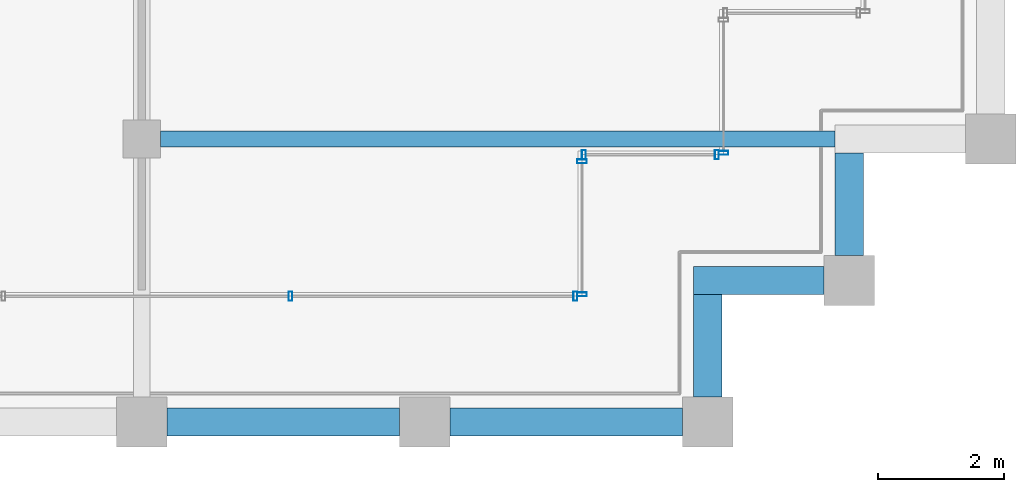
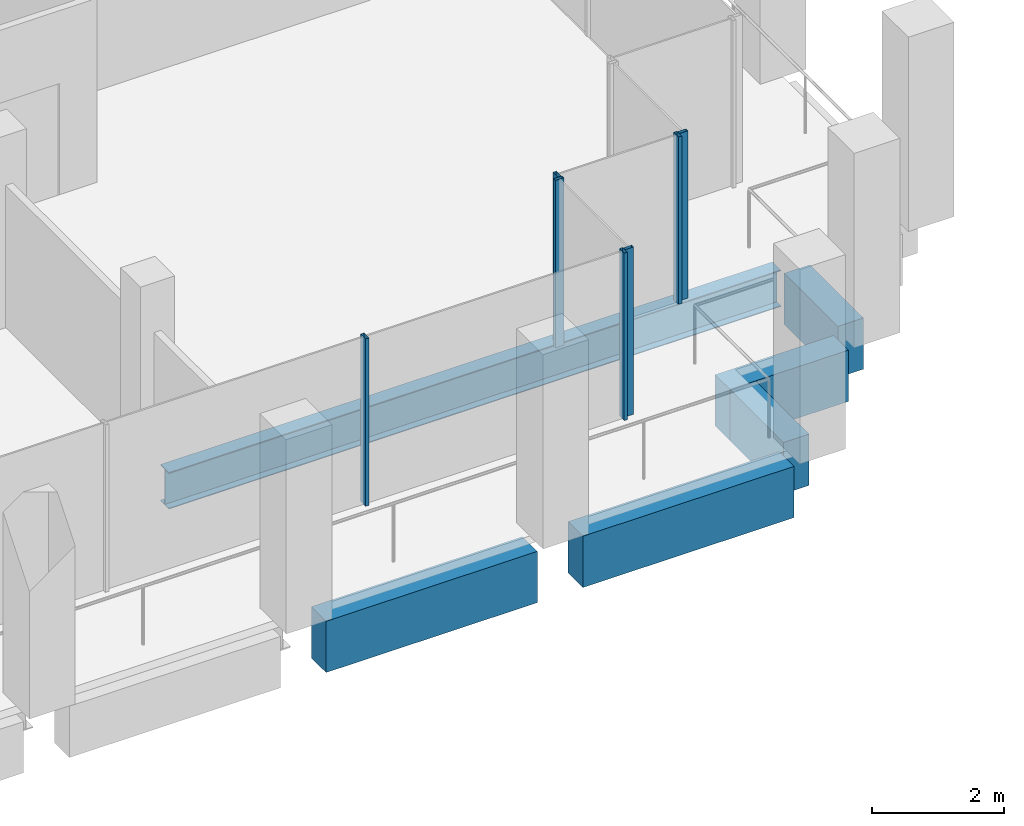
# One storey, part 12 of 40: 7 members, 6 beams, 4 elements without a shape of their own.
"""IFC4 building model written with IfcOpenShell, lengths in metres."""

from ifc_helpers import new_model, si_unit, direction, frame, origin, origin_2d, place, context, subcontext, project, spatial, rectangle, hollow_rectangle, i_section, extrude, material, material_profile, profile_set, type_object, element, aggregate, save


model = new_model("IFC4")

# Units and contexts
model_context = context("Model", 3, precision=1e-05, world=origin(), true_north=direction((0.0, 1.0)))
body_context = subcontext(model_context, "Body", "Model", "MODEL_VIEW")
ifc_project = project(units=[si_unit("LENGTHUNIT", "METRE"), si_unit("AREAUNIT", "SQUARE_METRE"), si_unit("VOLUMEUNIT", "CUBIC_METRE"), si_unit("PLANEANGLEUNIT", "RADIAN"), si_unit("MASSUNIT", "GRAM", prefix="KILO")], contexts=[model_context])

# Site, building, storey
site_placement = place(None, origin())
site = spatial("IfcSite", under=ifc_project, at=site_placement, CompositionType="ELEMENT")
building_placement = place(site_placement, origin())
building = spatial("IfcBuilding", under=site, at=building_placement, Name="Altepetl Exchange Towers", CompositionType="ELEMENT")
storey_placement = place(building_placement, frame((0.0, 0.0, 199.199951171875)))
storey = spatial("IfcBuildingStorey", under=building, at=storey_placement, Name="L50", CompositionType="ELEMENT", Elevation=199.199951171875)

# Beam
ifc_material_1 = material(Name="Steel S355", Category="steel")
ifc_material_profile_1 = material_profile(ifc_material_1, i_section(OverallWidth=0.2529296875, OverallDepth=0.677978515625, WebThickness=0.01171875, FlangeThickness=0.016357421875, at=origin_2d()), Name="W27X84")
ifc_profile_set_1 = profile_set([ifc_material_profile_1], Name="Steel S355")
beam_type_1 = type_object("IfcBeamType", Name="Floor beam W27X84", PredefinedType="BEAM", material=ifc_profile_set_1)
beam_1_placement = place(storey_placement, frame((58.800048828125, 31.5, -0.489013671875), z_axis=(1.0, 0.0, 0.0), x_axis=(0.0, 1.0, 0.0)))
element("IfcBeam", 1, at=beam_1_placement, inside=storey, type_object=beam_type_1, Name="bm:A:L50:006", PredefinedType="BEAM", context=body_context, shape_type="SweptSolid", body=[
    extrude(i_section(OverallWidth=0.2529296875, OverallDepth=0.677978515625, WebThickness=0.01171875, FlangeThickness=0.016357421875, at=origin_2d()), origin(), (0.0, 0.0, 1.0), 10.724853515625),
])

# Curtain wall, members
ifc_material_2 = material(Name="Aluminium 6063-T6 glazing", Category="aluminium")
curtain_wall_type = type_object("IfcCurtainWallType", Name="Loggia glazing system", PredefinedType="NOTDEFINED", material=ifc_material_2)
curtain_wall_1_placement = place(storey_placement, origin())
curtain_wall_1 = element("IfcCurtainWall", 2, at=curtain_wall_1_placement, inside=storey, type_object=curtain_wall_type, Name="CW1 run", PredefinedType="NOTDEFINED")
ifc_material_3 = material(Name="Aluminium 6063-T6", Category="aluminium")
ifc_material_profile_2 = material_profile(ifc_material_3, hollow_rectangle(XDim=0.06005859375, YDim=0.14990234375, WallThickness=0.0029296875, at=origin_2d()), Name="Mullion 60x150 aluminium")
ifc_profile_set_2 = profile_set([ifc_material_profile_2], Name="Aluminium 6063-T6")
member_type = type_object("IfcMemberType", Name="Mullion 60x150 aluminium", PredefinedType="MULLION", material=ifc_profile_set_2)
member_1_placement = place(storey_placement, frame((60.8642578125, 29.0, 0.0)))
member_1 = element("IfcMember", 3, at=member_1_placement, type_object=member_type, Name="MU1 mullion", PredefinedType="MULLION", context=body_context, shape_type="SweptSolid", body=[
    extrude(hollow_rectangle(XDim=0.06005859375, YDim=0.14990234375, WallThickness=0.0029296875, at=origin_2d()), origin(), (0.0, 0.0, 1.0), 3.10009765625),
])
member_2_placement = place(storey_placement, frame((65.39501953125, 29.0, 0.0)))
member_2 = element("IfcMember", 4, at=member_2_placement, type_object=member_type, Name="MU1 mullion", PredefinedType="MULLION", context=body_context, shape_type="SweptSolid", body=[
    extrude(hollow_rectangle(XDim=0.06005859375, YDim=0.14990234375, WallThickness=0.0029296875, at=origin_2d()), origin(), (0.0, 0.0, 1.0), 3.10009765625),
])
aggregate(curtain_wall_1, [member_1, member_2])

curtain_wall_2_placement = place(storey_placement, origin())
curtain_wall_2 = element("IfcCurtainWall", 5, at=curtain_wall_2_placement, inside=storey, type_object=curtain_wall_type, Name="CW1 run", PredefinedType="NOTDEFINED")
member_3_placement = place(storey_placement, frame((65.5, 29.030029296875, 0.0), z_axis=(0.0, 0.0, 1.0), x_axis=(0.0, 1.0, 0.0)))
member_3 = element("IfcMember", 6, at=member_3_placement, type_object=member_type, Name="MU1 mullion", PredefinedType="MULLION", context=body_context, shape_type="SweptSolid", body=[
    extrude(hollow_rectangle(XDim=0.06005859375, YDim=0.14990234375, WallThickness=0.0029296875, at=origin_2d()), origin(), (0.0, 0.0, 1.0), 3.10009765625),
])
member_4_placement = place(storey_placement, frame((65.5, 31.14501953125, 0.0), z_axis=(0.0, 0.0, 1.0), x_axis=(0.0, 1.0, 0.0)))
member_4 = element("IfcMember", 7, at=member_4_placement, type_object=member_type, Name="MU1 mullion", PredefinedType="MULLION", context=body_context, shape_type="SweptSolid", body=[
    extrude(hollow_rectangle(XDim=0.06005859375, YDim=0.14990234375, WallThickness=0.0029296875, at=origin_2d()), origin(), (0.0, 0.0, 1.0), 3.10009765625),
])
aggregate(curtain_wall_2, [member_3, member_4])

curtain_wall_3_placement = place(storey_placement, origin())
curtain_wall_3 = element("IfcCurtainWall", 8, at=curtain_wall_3_placement, inside=storey, type_object=curtain_wall_type, Name="CW1 run", PredefinedType="NOTDEFINED")
member_5_placement = place(storey_placement, frame((65.530029296875, 31.25, 0.0)))
member_5 = element("IfcMember", 9, at=member_5_placement, type_object=member_type, Name="MU1 mullion", PredefinedType="MULLION", context=body_context, shape_type="SweptSolid", body=[
    extrude(hollow_rectangle(XDim=0.06005859375, YDim=0.14990234375, WallThickness=0.0029296875, at=origin_2d()), origin(), (0.0, 0.0, 1.0), 3.10009765625),
])
member_6_placement = place(storey_placement, frame((67.64501953125, 31.25, 0.0)))
member_6 = element("IfcMember", 10, at=member_6_placement, type_object=member_type, Name="MU1 mullion", PredefinedType="MULLION", context=body_context, shape_type="SweptSolid", body=[
    extrude(hollow_rectangle(XDim=0.06005859375, YDim=0.14990234375, WallThickness=0.0029296875, at=origin_2d()), origin(), (0.0, 0.0, 1.0), 3.10009765625),
])
aggregate(curtain_wall_3, [member_5, member_6])

# Curtain wall, member
curtain_wall_4_placement = place(storey_placement, origin())
curtain_wall_4 = element("IfcCurtainWall", 11, at=curtain_wall_4_placement, inside=storey, type_object=curtain_wall_type, Name="CW1 run", PredefinedType="NOTDEFINED")
member_7_placement = place(storey_placement, frame((67.75, 31.280029296875, 0.0), z_axis=(0.0, 0.0, 1.0), x_axis=(0.0, 1.0, 0.0)))
member_7 = element("IfcMember", 12, at=member_7_placement, type_object=member_type, Name="MU1 mullion", PredefinedType="MULLION", context=body_context, shape_type="SweptSolid", body=[
    extrude(hollow_rectangle(XDim=0.06005859375, YDim=0.14990234375, WallThickness=0.0029296875, at=origin_2d()), origin(), (0.0, 0.0, 1.0), 3.10009765625),
])
aggregate(curtain_wall_4, [member_7])

# Beams
ifc_material_4 = material(Name="Concrete C50/60 precast with cantera amarilla facing", Category="concrete")
ifc_material_profile_3 = material_profile(ifc_material_4, rectangle(XDim=0.449951171875, YDim=0.949951171875, at=origin_2d()), Name="450 x 950")
ifc_profile_set_3 = profile_set([ifc_material_profile_3], Name="Concrete C50/60 precast with cantera amarilla facing")
beam_type_2 = type_object("IfcBeamType", Name="Spandrel beam 450x950 cantera amarilla", PredefinedType="SPANDREL", material=ifc_profile_set_3)
for number, where, z_axis, x_axis, name in (
    (13, (58.89990234375, 27.0, -0.625), (1.0, 0.0, 0.0), (0.0, 1.0, 0.0), "sp:A:L50:006"),
    (14, (63.39990234375, 27.0, -0.625), (1.0, 0.0, 0.0), (0.0, 1.0, 0.0), "sp:A:L50:007"),
):
    element("IfcBeam", number, at=place(storey_placement, frame(where, z_axis=z_axis, x_axis=x_axis)), inside=storey, type_object=beam_type_2, Name=name, PredefinedType="SPANDREL", context=body_context, shape_type="SweptSolid", body=[
        extrude(rectangle(XDim=0.449951171875, YDim=0.949951171875, at=origin_2d()), origin(), (0.0, 0.0, 1.0), 3.7001953125),
    ])
beam_2_placement = place(storey_placement, frame((67.5, 27.39990234375, -0.625), z_axis=(0.0, 1.0, 0.0), x_axis=(-1.0, 0.0, 0.0)))
element("IfcBeam", 15, at=beam_2_placement, inside=storey, type_object=beam_type_2, Name="sp:A:L50:008", PredefinedType="SPANDREL", context=body_context, shape_type="SweptSolid", body=[
    extrude(rectangle(XDim=0.449951171875, YDim=0.949951171875, at=origin_2d()), origin(), (0.0, 0.0, 1.0), 1.625),
])
beam_3_placement = place(storey_placement, frame((67.27490234375, 29.25, -0.625), z_axis=(1.0, 0.0, 0.0), x_axis=(0.0, 1.0, 0.0)))
element("IfcBeam", 16, at=beam_3_placement, inside=storey, type_object=beam_type_2, Name="sp:A:L50:009", PredefinedType="SPANDREL", context=body_context, shape_type="SweptSolid", body=[
    extrude(rectangle(XDim=0.449951171875, YDim=0.949951171875, at=origin_2d()), origin(), (0.0, 0.0, 1.0), 2.0751953125),
])
beam_4_placement = place(storey_placement, frame((69.75, 29.64990234375, -0.625), z_axis=(0.0, 1.0, 0.0), x_axis=(-1.0, 0.0, 0.0)))
element("IfcBeam", 17, at=beam_4_placement, inside=storey, type_object=beam_type_2, Name="sp:A:L50:010", PredefinedType="SPANDREL", context=body_context, shape_type="SweptSolid", body=[
    extrude(rectangle(XDim=0.449951171875, YDim=0.949951171875, at=origin_2d()), origin(), (0.0, 0.0, 1.0), 1.625),
])

save(model, "model.ifc")
